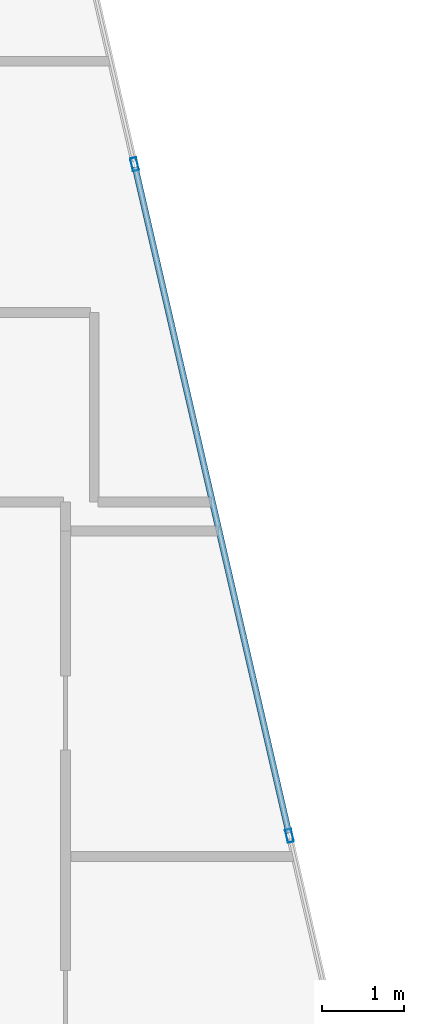
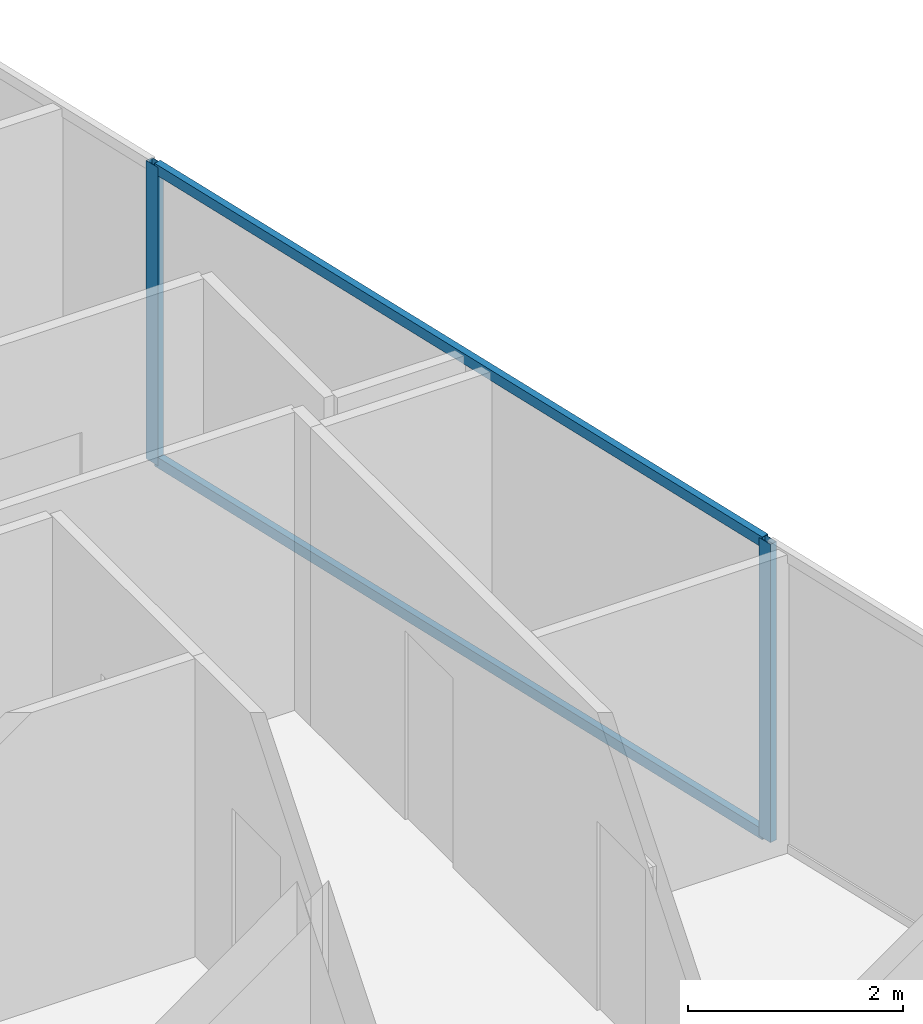
# One storey, part 20 of 29: 4 members, 1 element without a shape of its own.
"""IFC4 building model written with IfcOpenShell, lengths in metres."""

from ifc_helpers import new_model, si_unit, direction, frame, origin, origin_2d, place, context, subcontext, project, spatial, hollow_rectangle, extrude, material, layer, layer_set, material_profile, profile_set, type_object, element, aggregate, save


model = new_model("IFC4")

# Units and contexts
model_context = context("Model", 3, precision=1e-05, world=origin(), true_north=direction((0.0, 1.0)))
body_context = subcontext(model_context, "Body", "Model", "MODEL_VIEW")
ifc_project = project(units=[si_unit("LENGTHUNIT", "METRE"), si_unit("AREAUNIT", "SQUARE_METRE"), si_unit("VOLUMEUNIT", "CUBIC_METRE"), si_unit("PLANEANGLEUNIT", "RADIAN"), si_unit("MASSUNIT", "GRAM", prefix="KILO")], contexts=[model_context])

# Site, building, storey
site_placement = place(None, origin())
site = spatial("IfcSite", under=ifc_project, at=site_placement, CompositionType="ELEMENT")
building_placement = place(site_placement, origin())
building = spatial("IfcBuilding", under=site, at=building_placement, Name="Keshet Zoharim Tower", CompositionType="ELEMENT")
storey_placement = place(building_placement, frame((0.0, 0.0, 222.800048828125)))
storey = spatial("IfcBuildingStorey", under=building, at=storey_placement, Name="L55", CompositionType="ELEMENT", Elevation=222.800048828125)

# Curtain wall, members
ifc_material = material(Name="Aluminium 6063-T6", Category="aluminium")
ifc_layer = layer(ifc_material, 0.139892578125)
ifc_layer_set = layer_set([ifc_layer], Name="Aluminium 6063-T6")
curtain_wall_type = type_object("IfcCurtainWallType", Name="CW-SYS-05", PredefinedType="NOTDEFINED", material=ifc_layer_set)
curtain_wall_placement = place(storey_placement, origin())
curtain_wall = element("IfcCurtainWall", 1, at=curtain_wall_placement, inside=storey, type_object=curtain_wall_type, Name="L55 Unitised Curtain Wall 19", PredefinedType="NOTDEFINED")
ifc_material_profile_1 = material_profile(ifc_material, hollow_rectangle(XDim=0.074951171875, YDim=0.159912109375, WallThickness=0.00390625, at=origin_2d()), Name="MUL-75x160")
ifc_profile_set_1 = profile_set([ifc_material_profile_1], Name="Aluminium 6063-T6")
member_type_1 = type_object("IfcMemberType", Name="CWM-M15", PredefinedType="MULLION", material=ifc_profile_set_1)
member_1_placement = place(storey_placement, frame((41.23876953125, 44.199951171875, 0.0), z_axis=(0.0, 0.0, 1.0), x_axis=(0.974393882313, 0.224847864369, 0.0)))
member_1 = element("IfcMember", 2, at=member_1_placement, type_object=member_type_1, Name="CW-05 mullion 2", PredefinedType="MULLION", context=body_context, shape_type="SweptSolid", body=[
    extrude(hollow_rectangle(XDim=0.074951171875, YDim=0.159912109375, WallThickness=0.00390625, at=origin_2d()), origin(), (0.0, 0.0, 1.0), 3.389892578125),
])
member_2_placement = place(storey_placement, frame((43.119384765625, 36.050048828125, 0.0), z_axis=(0.0, 0.0, 1.0), x_axis=(0.974393882313, 0.224847864369, 0.0)))
member_2 = element("IfcMember", 3, at=member_2_placement, type_object=member_type_1, Name="CW-05 mullion 3", PredefinedType="MULLION", context=body_context, shape_type="SweptSolid", body=[
    extrude(hollow_rectangle(XDim=0.074951171875, YDim=0.159912109375, WallThickness=0.00390625, at=origin_2d()), origin(), (0.0, 0.0, 1.0), 3.389892578125),
])
ifc_material_profile_2 = material_profile(ifc_material, hollow_rectangle(XDim=0.074951171875, YDim=0.1201171875, WallThickness=0.00390625, at=origin_2d()), Name="TRN-75x120")
ifc_profile_set_2 = profile_set([ifc_material_profile_2], Name="Aluminium 6063-T6")
member_type_2 = type_object("IfcMemberType", Name="CWT-T12", PredefinedType="USERDEFINED", material=ifc_profile_set_2)
member_3_placement = place(storey_placement, frame((41.24658203125, 44.166015625, 0.034912109375), z_axis=(0.224848758198, -0.974393676055, 0.0), x_axis=(0.974393676055, 0.224848758198, 0.0)))
member_3 = element("IfcMember", 4, at=member_3_placement, type_object=member_type_2, Name="CW-05 transom 2.1", ObjectType="TRANSOM", PredefinedType="USERDEFINED", context=body_context, shape_type="SweptSolid", body=[
    extrude(hollow_rectangle(XDim=0.074951171875, YDim=0.1201171875, WallThickness=0.00390625, at=origin_2d()), origin(), (0.0, 0.0, 1.0), 8.29443359375),
])
member_4_placement = place(storey_placement, frame((41.24658203125, 44.166015625, 3.35498046875), z_axis=(0.224848758198, -0.974393676055, 0.0), x_axis=(0.974393676055, 0.224848758198, 0.0)))
member_4 = element("IfcMember", 5, at=member_4_placement, type_object=member_type_2, Name="CW-05 transom 2.2", ObjectType="TRANSOM", PredefinedType="USERDEFINED", context=body_context, shape_type="SweptSolid", body=[
    extrude(hollow_rectangle(XDim=0.074951171875, YDim=0.1201171875, WallThickness=0.00390625, at=origin_2d()), origin(), (0.0, 0.0, 1.0), 8.29443359375),
])
aggregate(curtain_wall, [member_1, member_2, member_3, member_4])

save(model, "model.ifc")
